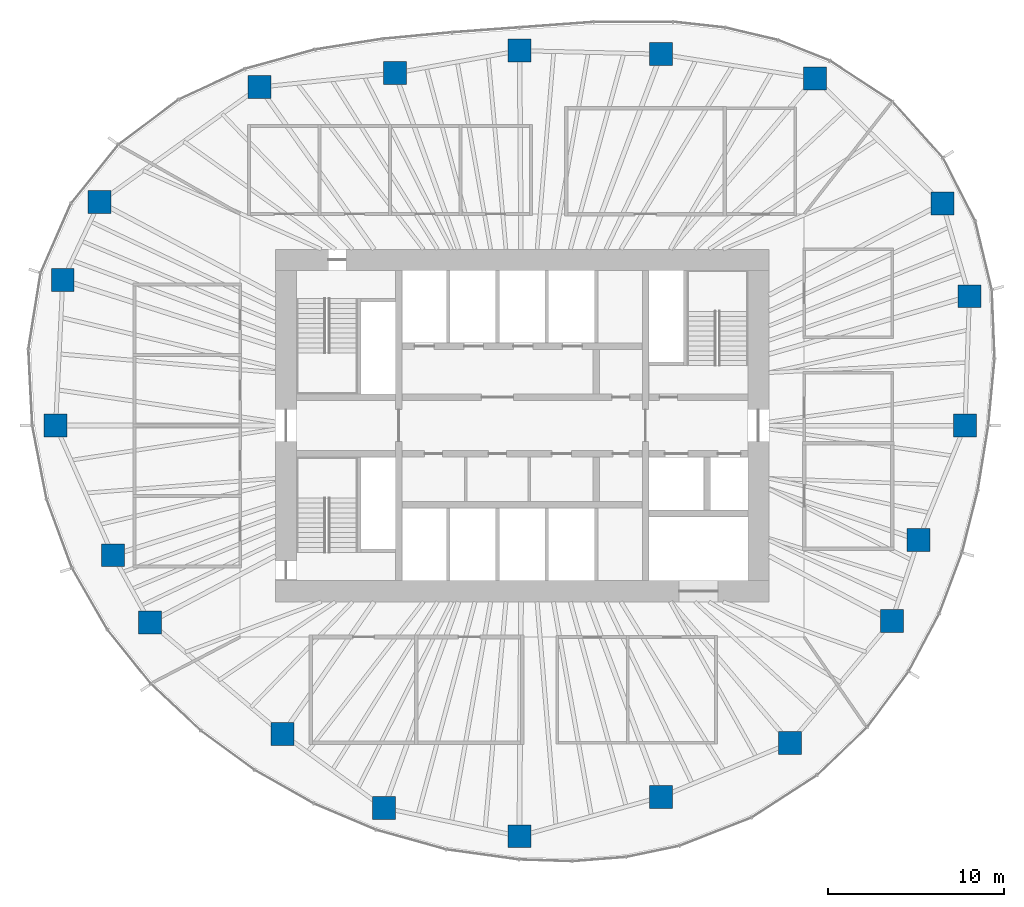
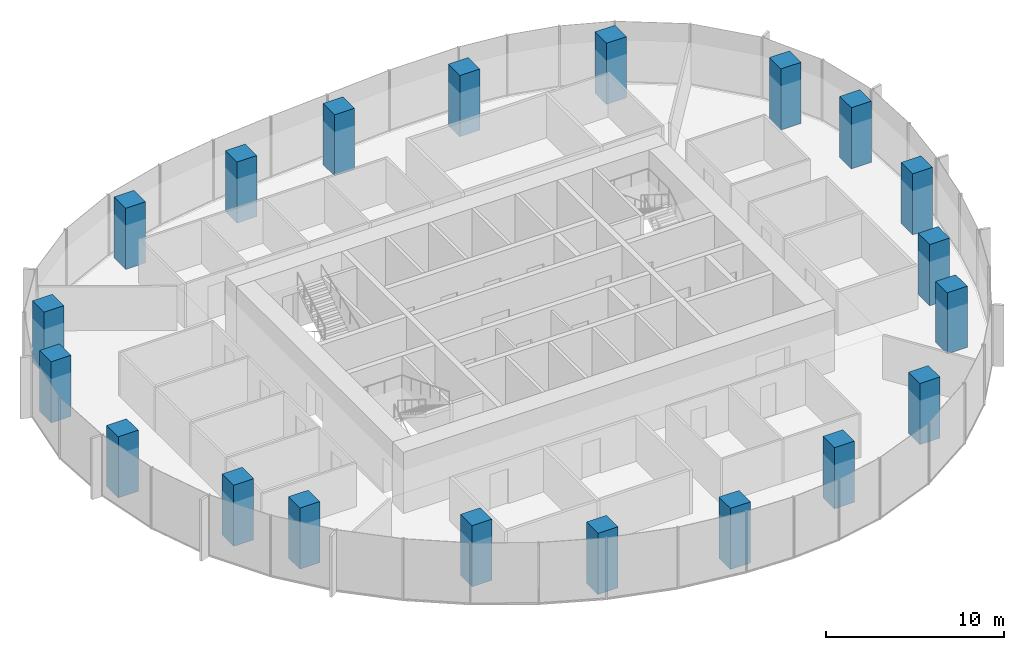
# One storey, part 1 of 12: 20 columns.
"""IFC4 building model written with IfcOpenShell, lengths in metres."""

from ifc_helpers import new_model, si_unit, direction, frame, origin, origin_2d, place, context, subcontext, project, spatial, rectangle, extrude, material, material_profile, profile_set, type_object, element, save


model = new_model("IFC4")

# Units and contexts
model_context = context("Model", 3, precision=1e-05, world=origin(), true_north=direction((0.0, 1.0)))
body_context = subcontext(model_context, "Body", "Model", "MODEL_VIEW")
ifc_project = project(units=[si_unit("LENGTHUNIT", "METRE"), si_unit("AREAUNIT", "SQUARE_METRE"), si_unit("VOLUMEUNIT", "CUBIC_METRE"), si_unit("PLANEANGLEUNIT", "RADIAN"), si_unit("MASSUNIT", "GRAM", prefix="KILO")], contexts=[model_context])

# Site, building, storey
site_placement = place(None, origin())
site = spatial("IfcSite", under=ifc_project, at=site_placement, CompositionType="ELEMENT")
building_placement = place(site_placement, origin())
building = spatial("IfcBuilding", under=site, at=building_placement, Name="Ghaith Harvest Tower", CompositionType="ELEMENT")
storey_placement = place(building_placement, frame((0.0, 0.0, 199.0)))
storey = spatial("IfcBuildingStorey", under=building, at=storey_placement, Name="L43", CompositionType="ELEMENT", Elevation=199.0)

# Columns
ifc_material = material(Name="Concrete C60/75", Category="concrete")
ifc_material_profile = material_profile(ifc_material, rectangle(XDim=1.300048828125, YDim=1.300048828125, at=origin_2d()), Name="RC1300X1300")
ifc_profile_set = profile_set([ifc_material_profile], Name="Concrete C60/75")
column_type = type_object("IfcColumnType", Name="TC5 RC1300X1300", PredefinedType="COLUMN", material=ifc_profile_set)
for number, where, z_axis, x_axis, name in (
    (1, (25.125, 0.0, 0.0), (0.0, 0.0, 1.0), (1.0, 0.0, 0.0), "Perimeter column C01"),
    (2, (25.3779296875, 7.3349609375, 0.0), (0.0, 0.0, 1.0), (1.0, 0.0, 0.0), "Perimeter column C02"),
    (3, (23.85205078125, 12.60693359375, 0.0), (0.0, 0.0, 1.0), (1.0, 0.0, 0.0), "Perimeter column C03"),
    (4, (16.60791015625, 19.695068359375, 0.0), (0.0, 0.0, 1.0), (1.0, 0.0, 0.0), "Perimeter column C04"),
    (5, (7.8779296875, 21.072021484375, 0.0), (0.0, 0.0, 1.0), (1.0, 0.0, 0.0), "Perimeter column C05"),
    (6, (-0.14599609375, 21.27099609375, 0.0), (0.0, 0.0, 1.0), (1.0, 0.0, 0.0), "Perimeter column C06"),
    (7, (-7.221923828125, 19.9970703125, 0.0), (0.0, 0.0, 1.0), (1.0, 0.0, 0.0), "Perimeter column C07"),
    (8, (-14.910888671875, 19.199951171875, 0.0), (0.0, 0.0, 1.0), (1.0, 0.0, 0.0), "Perimeter column C08"),
    (9, (-23.986083984375, 12.677978515625, 0.0), (0.0, 0.0, 1.0), (1.0, 0.0, 0.0), "Perimeter column C09"),
    (10, (-26.06689453125, 8.260986328125, 0.0), (0.0, 0.0, 1.0), (1.0, 0.0, 0.0), "Perimeter column C10"),
    (11, (-26.47509765625, 0.0, 0.0), (0.0, 0.0, 1.0), (1.0, 0.0, 0.0), "Perimeter column C11"),
    (12, (-23.22412109375, -7.360107421875, 0.0), (0.0, 0.0, 1.0), (1.0, 0.0, 0.0), "Perimeter column C12"),
    (13, (-21.125, -11.166015625, 0.0), (0.0, 0.0, 1.0), (1.0, 0.0, 0.0), "Perimeter column C13"),
    (14, (-13.594970703125, -17.5048828125, 0.0), (0.0, 0.0, 1.0), (1.0, 0.0, 0.0), "Perimeter column C14"),
    (15, (-7.837890625, -21.699951171875, 0.0), (0.0, 0.0, 1.0), (1.0, 0.0, 0.0), "Perimeter column C15"),
    (16, (-0.158935546875, -23.304931640625, 0.0), (0.0, 0.0, 1.0), (1.0, 0.0, 0.0), "Perimeter column C16"),
    (17, (7.8779296875, -21.072021484375, 0.0), (0.0, 0.0, 1.0), (1.0, 0.0, 0.0), "Perimeter column C17"),
    (18, (15.197998046875, -18.02294921875, 0.0), (0.0, 0.0, 1.0), (1.0, 0.0, 0.0), "Perimeter column C18"),
    (19, (20.97705078125, -11.087890625, 0.0), (0.0, 0.0, 1.0), (1.0, 0.0, 0.0), "Perimeter column C19"),
    (20, (22.485107421875, -6.4990234375, 0.0), (0.0, 0.0, 1.0), (1.0, 0.0, 0.0), "Perimeter column C20"),
):
    element("IfcColumn", number, at=place(storey_placement, frame(where, z_axis=z_axis, x_axis=x_axis)), inside=storey, type_object=column_type, Name=name, PredefinedType="COLUMN", context=body_context, shape_type="SweptSolid", body=[
        extrude(rectangle(XDim=1.300048828125, YDim=1.300048828125, at=origin_2d()), origin(), (0.0, 0.0, 1.0), 4.199951171875),
    ])

save(model, "model.ifc")
